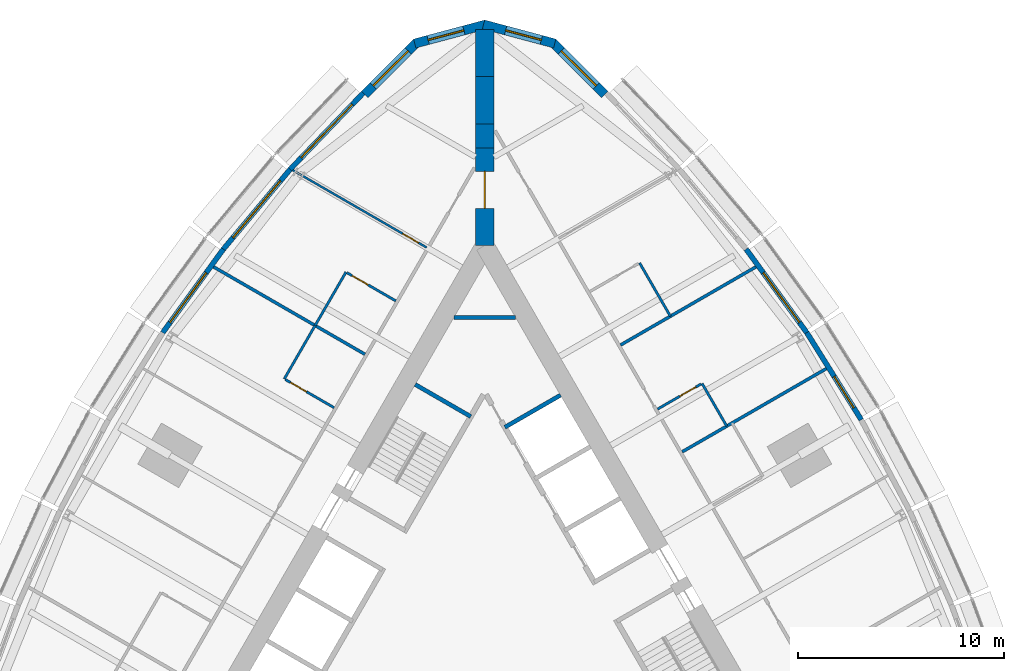
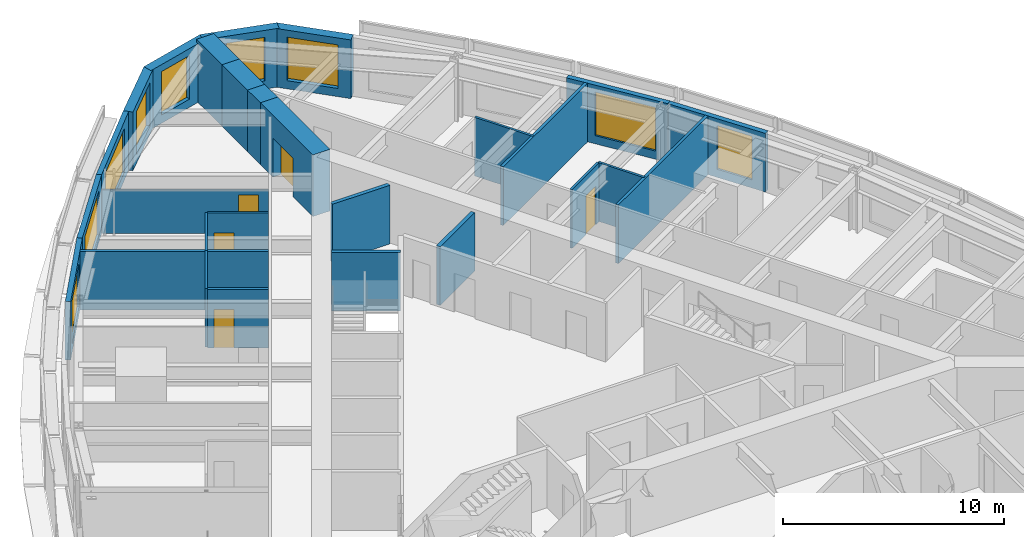
# One storey, part 12 of 14: 27 walls, 9 windows, 5 doors, 14 openings.
"""IFC4 building model written with IfcOpenShell, lengths in metres."""

from ifc_helpers import new_model, si_unit, direction, frame, frame_2d, origin, place, context, subcontext, project, spatial, polyline, rectangle, outline, extrude, material, layer, layer_set, type_object, element, fill, save


model = new_model("IFC4")

# Units and contexts
model_context = context("Model", 3, precision=1e-05, world=origin(), true_north=direction((0.0, 1.0)))
body_context = subcontext(model_context, "Body", "Model", "MODEL_VIEW")
ifc_project = project(units=[si_unit("LENGTHUNIT", "METRE"), si_unit("AREAUNIT", "SQUARE_METRE"), si_unit("VOLUMEUNIT", "CUBIC_METRE"), si_unit("PLANEANGLEUNIT", "RADIAN"), si_unit("MASSUNIT", "GRAM", prefix="KILO")], contexts=[model_context])

# Site, building, storey
site_placement = place(None, origin())
site = spatial("IfcSite", under=ifc_project, at=site_placement, CompositionType="ELEMENT")
building_placement = place(site_placement, origin())
building = spatial("IfcBuilding", under=site, at=building_placement, Name="Trikona Tower", CompositionType="ELEMENT")
storey_placement = place(building_placement, frame((0.0, 0.0, 172.5)))
storey = spatial("IfcBuildingStorey", under=building, at=storey_placement, Name="L46", CompositionType="ELEMENT", Elevation=172.5)

# Wall
ifc_material_1 = material(Name="Metal stud and cement board", Category="gypsum")
ifc_layer_1 = layer(ifc_material_1, 0.1201171875)
ifc_layer_set_1 = layer_set([ifc_layer_1], Name="Bathroom wall 120")
wall_type_1 = type_object("IfcWallType", Name="Bathroom wall 120", PredefinedType="PLUMBINGWALL", material=ifc_layer_set_1)
wall_1_placement = place(storey_placement, frame((11.77294921875, 10.26123046875, 0.0), z_axis=(0.0, 0.0, 1.0), x_axis=(-0.500001309137, 0.866024647952, 0.0)))
element("IfcWall", 1, at=wall_1_placement, inside=storey, type_object=wall_type_1, Name="Bathroom wall 4608", PredefinedType="PLUMBINGWALL", context=body_context, shape_type="SweptSolid", body=[
    extrude(rectangle(XDim=2.39990234375, YDim=0.1201171875, at=frame_2d((1.199951171875, 0.0))), origin(), (0.0, 0.0, 1.0), 3.235107421875),
])

# Wall, opening, door
wall_2_placement = place(storey_placement, frame((8.407958984375, 11.089599609375, 0.0), z_axis=(0.0, 0.0, 1.0), x_axis=(0.865980627057, 0.500077547548, 0.0)))
wall_2 = element("IfcWall", 2, at=wall_2_placement, inside=storey, type_object=wall_type_1, Name="Bathroom wall 4608", PredefinedType="PLUMBINGWALL", context=body_context, shape_type="SweptSolid", body=[
    extrude(rectangle(XDim=2.43994140625, YDim=0.1201171875, at=frame_2d((1.219970703125, 0.0))), origin(), (0.0, 0.0, 1.0), 3.235107421875),
])
opening_1_placement = place(wall_2_placement, frame((1.25, 0.0, 0.0)))
opening_1 = element("IfcOpeningElement", 3, at=opening_1_placement, cuts=wall_2, Name="Opening D2", PredefinedType="OPENING", context=body_context, shape_type="SweptSolid", body=[
    extrude(rectangle(XDim=0.89990234375, YDim=2.1298828125, at=frame_2d((0.449951171875, 1.06494140625))), frame((0.0, 0.070068359375, 0.0), z_axis=(0.0, -1.0, 0.0), x_axis=(1.0, 0.0, 0.0)), (0.0, 0.0, 1.0), 0.14013671875),
])
ifc_material_2 = material(Name="Steel door frame with solid-core timber leaf", Category="steel")
door_type_1 = type_object("IfcDoorType", Name="Bathroom door 900x2130", OperationType="SLIDING_TO_LEFT", PredefinedType="DOOR", material=ifc_material_2)
door_1_placement = place(opening_1_placement, origin())
door_1 = element("IfcDoor", 4, at=door_1_placement, inside=storey, type_object=door_type_1, Name="Bathroom door 4608", OperationType="SLIDING_TO_LEFT", OverallHeight=2.1298828125, OverallWidth=0.89990234375, PredefinedType="DOOR", context=body_context, shape_type="SweptSolid", body=[
    extrude(rectangle(XDim=0.89990234375, YDim=2.1298828125, at=frame_2d((0.449951171875, 1.06494140625))), frame((0.0, 0.02490234375, 0.0), z_axis=(0.0, -1.0, 0.0), x_axis=(1.0, 0.0, 0.0)), (0.0, 0.0, 1.0), 0.050048828125),
])
fill(opening_1, door_1)

# Walls
for number, where, z_axis, x_axis, name in (
    (5, (9.03271484375, 15.607421875, 0.0), (0.0, 0.0, 1.0), (-0.50002537861, 0.866010750942, 0.0), "Bathroom wall 4609.1"),
    (6, (-6.75341796875, 17.75537109375, 0.0), (0.0, 0.0, 1.0), (-0.50002537861, -0.866010750942, 0.0), "Bathroom wall 4610.1"),
):
    element("IfcWall", number, at=place(storey_placement, frame(where, z_axis=z_axis, x_axis=x_axis)), inside=storey, type_object=wall_type_1, Name=name, PredefinedType="PLUMBINGWALL", context=body_context, shape_type="SweptSolid", body=[
        extrude(rectangle(XDim=2.999755859375, YDim=0.1201171875, at=frame_2d((1.5, 0.0))), origin(), (0.0, 0.0, 1.0), 3.235107421875),
    ])

# Wall, opening, door
wall_3_placement = place(storey_placement, frame((-4.32861328125, 16.35546875, 0.0), z_axis=(0.0, 0.0, 1.0), x_axis=(-0.866035715982, 0.499982138324, 0.0)))
wall_3 = element("IfcWall", 7, at=wall_3_placement, inside=storey, type_object=wall_type_1, Name="Bathroom wall 4610.1", PredefinedType="PLUMBINGWALL", context=body_context, shape_type="SweptSolid", body=[
    extrude(rectangle(XDim=2.73974609375, YDim=0.1201171875, at=frame_2d((1.369873046875, 0.0))), origin(), (0.0, 0.0, 1.0), 3.235107421875),
])
opening_2_placement = place(wall_3_placement, frame((1.550048828125, 0.0, 0.0)))
opening_2 = element("IfcOpeningElement", 8, at=opening_2_placement, cuts=wall_3, Name="Opening D2", PredefinedType="OPENING", context=body_context, shape_type="SweptSolid", body=[
    extrude(rectangle(XDim=0.89990234375, YDim=2.1298828125, at=frame_2d((0.449951171875, 1.06494140625))), frame((0.0, 0.070068359375, 0.0), z_axis=(0.0, -1.0, 0.0), x_axis=(1.0, 0.0, 0.0)), (0.0, 0.0, 1.0), 0.14013671875),
])
door_2_placement = place(opening_2_placement, origin())
door_2 = element("IfcDoor", 9, at=door_2_placement, inside=storey, type_object=door_type_1, Name="Bathroom door 4610.1", OperationType="SLIDING_TO_LEFT", OverallHeight=2.1298828125, OverallWidth=0.89990234375, PredefinedType="DOOR", context=body_context, shape_type="SweptSolid", body=[
    extrude(rectangle(XDim=0.89990234375, YDim=2.1298828125, at=frame_2d((0.449951171875, 1.06494140625))), frame((0.0, 0.02490234375, 0.0), z_axis=(0.0, -1.0, 0.0), x_axis=(1.0, 0.0, 0.0)), (0.0, 0.0, 1.0), 0.050048828125),
])
fill(opening_2, door_2)

# Wall
wall_4_placement = place(storey_placement, frame((-8.25341796875, 15.157470703125, 0.0), z_axis=(0.0, 0.0, 1.0), x_axis=(-0.499990139034, -0.866031096941, 0.0)))
element("IfcWall", 10, at=wall_4_placement, inside=storey, type_object=wall_type_1, Name="Bathroom wall 4611.1", PredefinedType="PLUMBINGWALL", context=body_context, shape_type="SweptSolid", body=[
    extrude(rectangle(XDim=3.0, YDim=0.1201171875, at=frame_2d((1.5, 0.0))), origin(), (0.0, 0.0, 1.0), 3.235107421875),
])

# Wall, opening, door
wall_5_placement = place(storey_placement, frame((-7.32861328125, 11.1591796875, 0.0), z_axis=(0.0, 0.0, 1.0), x_axis=(-0.865997131366, 0.500048966069, 0.0)))
wall_5 = element("IfcWall", 11, at=wall_5_placement, inside=storey, type_object=wall_type_1, Name="Bathroom wall 4611.1", PredefinedType="PLUMBINGWALL", context=body_context, shape_type="SweptSolid", body=[
    extrude(rectangle(XDim=2.739990234375, YDim=0.1201171875, at=frame_2d((1.3701171875, 0.0))), origin(), (0.0, 0.0, 1.0), 3.235107421875),
])
opening_3_placement = place(wall_5_placement, frame((1.550048828125, 0.0, 0.0)))
opening_3 = element("IfcOpeningElement", 12, at=opening_3_placement, cuts=wall_5, Name="Opening D2", PredefinedType="OPENING", context=body_context, shape_type="SweptSolid", body=[
    extrude(rectangle(XDim=0.89990234375, YDim=2.1298828125, at=frame_2d((0.449951171875, 1.06494140625))), frame((0.0, 0.070068359375, 0.0), z_axis=(0.0, -1.0, 0.0), x_axis=(1.0, 0.0, 0.0)), (0.0, 0.0, 1.0), 0.14013671875),
])
door_3_placement = place(opening_3_placement, origin())
door_3 = element("IfcDoor", 13, at=door_3_placement, inside=storey, type_object=door_type_1, Name="Bathroom door 4611.1", OperationType="SLIDING_TO_LEFT", OverallHeight=2.1298828125, OverallWidth=0.89990234375, PredefinedType="DOOR", context=body_context, shape_type="SweptSolid", body=[
    extrude(rectangle(XDim=0.89990234375, YDim=2.1298828125, at=frame_2d((0.449951171875, 1.06494140625))), frame((0.0, 0.02490234375, 0.0), z_axis=(0.0, -1.0, 0.0), x_axis=(1.0, 0.0, 0.0)), (0.0, 0.0, 1.0), 0.050048828125),
])
fill(opening_3, door_3)

# Wall, opening, window
ifc_material_3 = material(Name="Brick-faced precast concrete", Category="masonry")
ifc_layer_2 = layer(ifc_material_3, 0.449951171875)
ifc_layer_set_2 = layer_set([ifc_layer_2], Name="Brick-faced corner wall 450")
wall_type_2 = type_object("IfcWallType", Name="Brick-faced corner wall 450", PredefinedType="SOLIDWALL", material=ifc_layer_set_2)
wall_6_placement = place(storey_placement, frame((5.8408203125, 26.39892578125, 0.0), z_axis=(0.0, 0.0, 1.0), x_axis=(-0.707106781187, 0.707106781187, 0.0)))
wall_6 = element("IfcWall", 14, at=wall_6_placement, inside=storey, type_object=wall_type_2, Name="External wall L46-20", PredefinedType="SOLIDWALL", context=body_context, shape_type="SweptSolid", body=[
    extrude(rectangle(XDim=3.586181640625, YDim=0.449951171875, at=frame_2d((1.79296875, 0.0))), origin(), (0.0, 0.0, 1.0), 3.235107421875),
])
opening_4_placement = place(wall_6_placement, frame((0.59326171875, 0.0, 0.449951171875)))
opening_4 = element("IfcOpeningElement", 15, at=opening_4_placement, cuts=wall_6, Name="Opening W2424", PredefinedType="OPENING", context=body_context, shape_type="SweptSolid", body=[
    extrude(rectangle(XDim=2.39990234375, YDim=2.39990234375, at=frame_2d((1.199951171875, 1.199951171875))), frame((0.0, 0.23486328125, 0.0), z_axis=(0.0, -1.0, 0.0), x_axis=(1.0, 0.0, 0.0)), (0.0, 0.0, 1.0), 0.469970703125),
])
ifc_material_4 = material(Name="Aluminium-framed double glazing", Category="aluminium")
window_type_1 = type_object("IfcWindowType", Name="Window 2400x2400", PartitioningType="SINGLE_PANEL", PredefinedType="WINDOW", material=ifc_material_4)
window_1_placement = place(opening_4_placement, origin())
window_1 = element("IfcWindow", 16, at=window_1_placement, inside=storey, type_object=window_type_1, Name="Window 4609", OverallHeight=2.39990234375, OverallWidth=2.39990234375, PartitioningType="SINGLE_PANEL", PredefinedType="WINDOW", context=body_context, shape_type="SweptSolid", body=[
    extrude(rectangle(XDim=2.39990234375, YDim=2.39990234375, at=frame_2d((1.199951171875, 1.199951171875))), frame((0.0, 0.030029296875, 0.0), z_axis=(0.0, -1.0, 0.0), x_axis=(1.0, 0.0, 0.0)), (0.0, 0.0, 1.0), 0.06005859375),
])
fill(opening_4, window_1)

wall_7_placement = place(storey_placement, frame((3.406005859375, 28.876708984375, 0.0), z_axis=(0.0, 0.0, 1.0), x_axis=(-0.965924653531, 0.258823421857, 0.0)))
wall_7 = element("IfcWall", 17, at=wall_7_placement, inside=storey, type_object=wall_type_2, Name="External wall L46-21", PredefinedType="SOLIDWALL", context=body_context, shape_type="SweptSolid", body=[
    extrude(outline(polyline([(3.58642578125, 0.22509765625), (3.526611328125, 0.22509765625), (3.035400390625, 0.09326171875), (3.0, 0.22509765625), (0.0, 0.22509765625), (0.0, -0.22509765625), (3.58642578125, -0.22509765625), (3.58642578125, 0.22509765625)])), origin(), (0.0, 0.0, 1.0), 3.235107421875),
])
opening_5_placement = place(wall_7_placement, frame((0.6748046875, 0.0, 0.449951171875)))
opening_5 = element("IfcOpeningElement", 18, at=opening_5_placement, cuts=wall_7, Name="Opening W1824", PredefinedType="OPENING", context=body_context, shape_type="SweptSolid", body=[
    extrude(rectangle(XDim=1.800048828125, YDim=2.39990234375, at=frame_2d((0.89990234375, 1.199951171875))), frame((0.0, 0.23486328125, 0.0), z_axis=(0.0, -1.0, 0.0), x_axis=(1.0, 0.0, 0.0)), (0.0, 0.0, 1.0), 0.469970703125),
])
ifc_material_5 = material(Name="Aluminium-framed double glazing", Category="aluminium")
window_type_2 = type_object("IfcWindowType", Name="Window 1800x2400", PartitioningType="SINGLE_PANEL", PredefinedType="WINDOW", material=ifc_material_5)
window_2_placement = place(opening_5_placement, origin())
window_2 = element("IfcWindow", 19, at=window_2_placement, inside=storey, type_object=window_type_2, Name="Window 4609", OverallHeight=2.39990234375, OverallWidth=1.800048828125, PartitioningType="SINGLE_PANEL", PredefinedType="WINDOW", context=body_context, shape_type="SweptSolid", body=[
    extrude(rectangle(XDim=1.800048828125, YDim=2.39990234375, at=frame_2d((0.89990234375, 1.199951171875))), frame((0.0, 0.030029296875, 0.0), z_axis=(0.0, -1.0, 0.0), x_axis=(1.0, 0.0, 0.0)), (0.0, 0.0, 1.0), 0.06005859375),
])
fill(opening_5, window_2)

wall_8_placement = place(storey_placement, frame((0.05810546875, 29.804931640625, 0.0), z_axis=(0.0, 0.0, 1.0), x_axis=(-0.965924653531, -0.258823421857, 0.0)))
wall_8 = element("IfcWall", 20, at=wall_8_placement, inside=storey, type_object=wall_type_2, Name="External wall L46-22", PredefinedType="SOLIDWALL", context=body_context, shape_type="SweptSolid", body=[
    extrude(outline(polyline([(3.58642578125, 0.22509765625), (0.58642578125, 0.22509765625), (0.551025390625, 0.09326171875), (0.0595703125, 0.22509765625), (0.0, 0.22509765625), (0.0, -0.22509765625), (3.58642578125, -0.22509765625), (3.58642578125, 0.22509765625)])), origin(), (0.0, 0.0, 1.0), 3.235107421875),
])
opening_6_placement = place(wall_8_placement, frame((1.111328125, 0.0, 0.449951171875)))
opening_6 = element("IfcOpeningElement", 21, at=opening_6_placement, cuts=wall_8, Name="Opening W1824", PredefinedType="OPENING", context=body_context, shape_type="SweptSolid", body=[
    extrude(rectangle(XDim=1.800048828125, YDim=2.39990234375, at=frame_2d((0.89990234375, 1.199951171875))), frame((0.0, 0.23486328125, 0.0), z_axis=(0.0, -1.0, 0.0), x_axis=(1.0, 0.0, 0.0)), (0.0, 0.0, 1.0), 0.469970703125),
])
window_3_placement = place(opening_6_placement, origin())
window_3 = element("IfcWindow", 22, at=window_3_placement, inside=storey, type_object=window_type_2, Name="Window 4610", OverallHeight=2.39990234375, OverallWidth=1.800048828125, PartitioningType="SINGLE_PANEL", PredefinedType="WINDOW", context=body_context, shape_type="SweptSolid", body=[
    extrude(rectangle(XDim=1.800048828125, YDim=2.39990234375, at=frame_2d((0.89990234375, 1.199951171875))), frame((0.0, 0.030029296875, 0.0), z_axis=(0.0, -1.0, 0.0), x_axis=(1.0, 0.0, 0.0)), (0.0, 0.0, 1.0), 0.06005859375),
])
fill(opening_6, window_3)

wall_9_placement = place(storey_placement, frame((-3.304931640625, 28.934814453125, 0.0), z_axis=(0.0, 0.0, 1.0), x_axis=(-0.707106781187, -0.707106781187, 0.0)))
wall_9 = element("IfcWall", 23, at=wall_9_placement, inside=storey, type_object=wall_type_2, Name="External wall L46-23", PredefinedType="SOLIDWALL", context=body_context, shape_type="SweptSolid", body=[
    extrude(rectangle(XDim=3.586181640625, YDim=0.449951171875, at=frame_2d((1.79296875, 0.0))), origin(), (0.0, 0.0, 1.0), 3.235107421875),
])
opening_7_placement = place(wall_9_placement, frame((0.59326171875, 0.0, 0.449951171875)))
opening_7 = element("IfcOpeningElement", 24, at=opening_7_placement, cuts=wall_9, Name="Opening W2424", PredefinedType="OPENING", context=body_context, shape_type="SweptSolid", body=[
    extrude(rectangle(XDim=2.39990234375, YDim=2.39990234375, at=frame_2d((1.199951171875, 1.199951171875))), frame((0.0, 0.23486328125, 0.0), z_axis=(0.0, -1.0, 0.0), x_axis=(1.0, 0.0, 0.0)), (0.0, 0.0, 1.0), 0.469970703125),
])
window_4_placement = place(opening_7_placement, origin())
window_4 = element("IfcWindow", 25, at=window_4_placement, inside=storey, type_object=window_type_1, Name="Window 4610", OverallHeight=2.39990234375, OverallWidth=2.39990234375, PartitioningType="SINGLE_PANEL", PredefinedType="WINDOW", context=body_context, shape_type="SweptSolid", body=[
    extrude(rectangle(XDim=2.39990234375, YDim=2.39990234375, at=frame_2d((1.199951171875, 1.199951171875))), frame((0.0, 0.030029296875, 0.0), z_axis=(0.0, -1.0, 0.0), x_axis=(1.0, 0.0, 0.0)), (0.0, 0.0, 1.0), 0.06005859375),
])
fill(opening_7, window_4)

# Wall, opening, door
ifc_material_6 = material(Name="Concrete f'c 10000 psi", Category="concrete")
ifc_layer_3 = layer(ifc_material_6, 0.89990234375)
ifc_layer_set_3 = layer_set([ifc_layer_3], Name="Buttress wall 900")
wall_type_3 = type_object("IfcWallType", Name="Buttress wall 900", PredefinedType="SHEAR", material=ifc_layer_set_3)
wall_10_placement = place(storey_placement, frame((0.0, 19.052490234375, 0.0), z_axis=(0.0, 0.0, 1.0), x_axis=(0.0, 1.0, 0.0)))
wall_10 = element("IfcWall", 26, at=wall_10_placement, inside=storey, type_object=wall_type_3, Name="Buttress wall 2", PredefinedType="SHEAR", context=body_context, shape_type="SweptSolid", body=[
    extrude(rectangle(XDim=4.74609375, YDim=0.89990234375, at=frame_2d((2.373046875, 0.0))), origin(), (0.0, 0.0, 1.0), 3.39990234375),
])
opening_8_placement = place(wall_10_placement, frame((1.800048828125, 0.0, 0.0)))
opening_8 = element("IfcOpeningElement", 27, at=opening_8_placement, cuts=wall_10, Name="Opening D10", PredefinedType="OPENING", context=body_context, shape_type="SweptSolid", body=[
    extrude(rectangle(XDim=1.800048828125, YDim=2.1298828125, at=frame_2d((0.89990234375, 1.06494140625))), frame((0.0, 0.4599609375, 0.0), z_axis=(0.0, -1.0, 0.0), x_axis=(1.0, 0.0, 0.0)), (0.0, 0.0, 1.0), 0.919921875),
])
ifc_material_7 = material(Name="Hollow metal door and frame", Category="steel")
door_type_2 = type_object("IfcDoorType", Name="Cross-corridor door pair 1800x2130", OperationType="DOUBLE_DOOR_DOUBLE_SWING", PredefinedType="DOOR", material=ifc_material_7)
door_4_placement = place(opening_8_placement, origin())
door_4 = element("IfcDoor", 28, at=door_4_placement, inside=storey, type_object=door_type_2, Name="Cross-corridor door 2", OperationType="DOUBLE_DOOR_DOUBLE_SWING", OverallHeight=2.1298828125, OverallWidth=1.800048828125, PredefinedType="DOOR", context=body_context, shape_type="SweptSolid", body=[
    extrude(rectangle(XDim=1.800048828125, YDim=2.1298828125, at=frame_2d((0.89990234375, 1.06494140625))), frame((0.0, 0.02490234375, 0.0), z_axis=(0.0, -1.0, 0.0), x_axis=(1.0, 0.0, 0.0)), (0.0, 0.0, 1.0), 0.050048828125),
])
fill(opening_8, door_4)

# Walls
wall_11_placement = place(storey_placement, frame((0.0, 23.798583984375, 0.0), z_axis=(0.0, 0.0, 1.0), x_axis=(0.0, 1.0, 0.0)))
element("IfcWall", 29, at=wall_11_placement, inside=storey, type_object=wall_type_3, Name="Buttress wall 2 part 2", PredefinedType="SHEAR", context=body_context, shape_type="SweptSolid", body=[
    extrude(rectangle(XDim=1.15478515625, YDim=0.89990234375, at=frame_2d((0.577392578125, 0.0))), origin(), (0.0, 0.0, 1.0), 3.39990234375),
])
wall_12_placement = place(storey_placement, frame((0.0, 24.953369140625, 0.0), z_axis=(0.0, 0.0, 1.0), x_axis=(0.0, 1.0, 0.0)))
element("IfcWall", 30, at=wall_12_placement, inside=storey, type_object=wall_type_3, Name="Buttress wall 2 part 3", PredefinedType="SHEAR", context=body_context, shape_type="SweptSolid", body=[
    extrude(rectangle(XDim=2.309326171875, YDim=0.89990234375, at=frame_2d((1.15478515625, 0.0))), origin(), (0.0, 0.0, 1.0), 3.39990234375),
])
wall_13_placement = place(storey_placement, frame((0.0, 27.2626953125, 0.0), z_axis=(0.0, 0.0, 1.0), x_axis=(0.0, 1.0, 0.0)))
element("IfcWall", 31, at=wall_13_placement, inside=storey, type_object=wall_type_3, Name="Buttress wall 2 part 4", PredefinedType="SHEAR", context=body_context, shape_type="SweptSolid", body=[
    extrude(rectangle(XDim=2.3095703125, YDim=0.89990234375, at=frame_2d((1.15478515625, 0.0))), origin(), (0.0, 0.0, 1.0), 3.39990234375),
])

# Wall, opening, window
ifc_material_8 = material(Name="Insulated precast concrete spandrel panel", Category="concrete")
ifc_layer_4 = layer(ifc_material_8, 0.25)
ifc_layer_set_4 = layer_set([ifc_layer_4], Name="Inner skin wall 250")
wall_type_4 = type_object("IfcWallType", Name="Inner skin wall 250", PredefinedType="STANDARD", material=ifc_layer_set_4)
wall_14_placement = place(storey_placement, frame((18.31884765625, 10.5712890625, 0.0), z_axis=(0.0, 0.0, 1.0), x_axis=(-0.529990167382, 0.84800378683, 0.0)))
wall_14 = element("IfcWall", 32, at=wall_14_placement, inside=storey, type_object=wall_type_4, Name="External wall L46-16", PredefinedType="STANDARD", context=body_context, shape_type="SweptSolid", body=[
    extrude(rectangle(XDim=5.003173828125, YDim=0.25, at=frame_2d((2.50146484375, 0.0))), origin(), (0.0, 0.0, 1.0), 3.235107421875),
])
opening_9_placement = place(wall_14_placement, frame((0.683837890625, 0.0, 0.449951171875)))
opening_9 = element("IfcOpeningElement", 33, at=opening_9_placement, cuts=wall_14, Name="Opening W1824", PredefinedType="OPENING", context=body_context, shape_type="SweptSolid", body=[
    extrude(rectangle(XDim=1.800048828125, YDim=2.39990234375, at=frame_2d((0.89990234375, 1.199951171875))), frame((0.0, 0.135009765625, 0.0), z_axis=(0.0, -1.0, 0.0), x_axis=(1.0, 0.0, 0.0)), (0.0, 0.0, 1.0), 0.27001953125),
])
window_5_placement = place(opening_9_placement, origin())
window_5 = element("IfcWindow", 34, at=window_5_placement, inside=storey, type_object=window_type_2, Name="Window 4607.1", OverallHeight=2.39990234375, OverallWidth=1.800048828125, PartitioningType="SINGLE_PANEL", PredefinedType="WINDOW", context=body_context, shape_type="SweptSolid", body=[
    extrude(rectangle(XDim=1.800048828125, YDim=2.39990234375, at=frame_2d((0.89990234375, 1.199951171875))), frame((0.0, 0.030029296875, 0.0), z_axis=(0.0, -1.0, 0.0), x_axis=(1.0, 0.0, 0.0)), (0.0, 0.0, 1.0), 0.06005859375),
])
fill(opening_9, window_5)

wall_15_placement = place(storey_placement, frame((15.672119140625, 14.806640625, 0.0), z_axis=(0.0, 0.0, 1.0), x_axis=(-0.587669188412, 0.809101307001, 0.0)))
wall_15 = element("IfcWall", 35, at=wall_15_placement, inside=storey, type_object=wall_type_4, Name="External wall L46-17", PredefinedType="STANDARD", context=body_context, shape_type="SweptSolid", body=[
    extrude(rectangle(XDim=5.027587890625, YDim=0.25, at=frame_2d((2.513671875, 0.0))), origin(), (0.0, 0.0, 1.0), 3.235107421875),
])
opening_10_placement = place(wall_15_placement, frame((0.609619140625, 0.0, 0.449951171875)))
opening_10 = element("IfcOpeningElement", 36, at=opening_10_placement, cuts=wall_15, Name="Opening W3024", PredefinedType="OPENING", context=body_context, shape_type="SweptSolid", body=[
    extrude(rectangle(XDim=3.0, YDim=2.39990234375, at=frame_2d((1.5, 1.199951171875))), frame((0.0, 0.135009765625, 0.0), z_axis=(0.0, -1.0, 0.0), x_axis=(1.0, 0.0, 0.0)), (0.0, 0.0, 1.0), 0.27001953125),
])
ifc_material_9 = material(Name="Aluminium-framed double glazing", Category="aluminium")
window_type_3 = type_object("IfcWindowType", Name="Window 3000x2400", PartitioningType="SINGLE_PANEL", PredefinedType="WINDOW", material=ifc_material_9)
window_6_placement = place(opening_10_placement, origin())
window_6 = element("IfcWindow", 37, at=window_6_placement, inside=storey, type_object=window_type_3, Name="Window 4608", OverallHeight=2.39990234375, OverallWidth=3.0, PartitioningType="SINGLE_PANEL", PredefinedType="WINDOW", context=body_context, shape_type="SweptSolid", body=[
    extrude(rectangle(XDim=3.0, YDim=2.39990234375, at=frame_2d((1.5, 1.199951171875))), frame((0.0, 0.030029296875, 0.0), z_axis=(0.0, -1.0, 0.0), x_axis=(1.0, 0.0, 0.0)), (0.0, 0.0, 1.0), 0.06005859375),
])
fill(opening_10, window_6)

wall_16_placement = place(storey_placement, frame((-5.90966796875, 26.4716796875, 0.0), z_axis=(0.0, 0.0, 1.0), x_axis=(-0.691719937936, -0.722165858693, 0.0)))
wall_16 = element("IfcWall", 38, at=wall_16_placement, inside=storey, type_object=wall_type_4, Name="External wall L46-24", PredefinedType="STANDARD", context=body_context, shape_type="SweptSolid", body=[
    extrude(rectangle(XDim=5.148193359375, YDim=0.25, at=frame_2d((2.57421875, 0.0))), origin(), (0.0, 0.0, 1.0), 3.235107421875),
])
opening_11_placement = place(wall_16_placement, frame((0.77392578125, 0.0, 0.449951171875)))
opening_11 = element("IfcOpeningElement", 39, at=opening_11_placement, cuts=wall_16, Name="Opening W3624", PredefinedType="OPENING", context=body_context, shape_type="SweptSolid", body=[
    extrude(rectangle(XDim=3.60009765625, YDim=2.39990234375, at=frame_2d((1.800048828125, 1.199951171875))), frame((0.0, 0.135009765625, 0.0), z_axis=(0.0, -1.0, 0.0), x_axis=(1.0, 0.0, 0.0)), (0.0, 0.0, 1.0), 0.27001953125),
])
ifc_material_10 = material(Name="Aluminium-framed double glazing", Category="aluminium")
window_type_4 = type_object("IfcWindowType", Name="Window 3600x2400", PartitioningType="SINGLE_PANEL", PredefinedType="WINDOW", material=ifc_material_10)
window_7_placement = place(opening_11_placement, origin())
window_7 = element("IfcWindow", 40, at=window_7_placement, inside=storey, type_object=window_type_4, Name="Window 4610", OverallHeight=2.39990234375, OverallWidth=3.60009765625, PartitioningType="SINGLE_PANEL", PredefinedType="WINDOW", context=body_context, shape_type="SweptSolid", body=[
    extrude(rectangle(XDim=3.60009765625, YDim=2.39990234375, at=frame_2d((1.800048828125, 1.199951171875))), frame((0.0, 0.030029296875, 0.0), z_axis=(0.0, -1.0, 0.0), x_axis=(1.0, 0.0, 0.0)), (0.0, 0.0, 1.0), 0.06005859375),
])
fill(opening_11, window_7)

wall_17_placement = place(storey_placement, frame((-9.465087890625, 22.76025390625, 0.0), z_axis=(0.0, 0.0, 1.0), x_axis=(-0.641810386606, -0.766863369607, 0.0)))
wall_17 = element("IfcWall", 41, at=wall_17_placement, inside=storey, type_object=wall_type_4, Name="External wall L46-25", PredefinedType="STANDARD", context=body_context, shape_type="SweptSolid", body=[
    extrude(rectangle(XDim=5.075927734375, YDim=0.25, at=frame_2d((2.5380859375, 0.0))), origin(), (0.0, 0.0, 1.0), 3.235107421875),
])
opening_12_placement = place(wall_17_placement, frame((0.738037109375, 0.0, 0.449951171875)))
opening_12 = element("IfcOpeningElement", 42, at=opening_12_placement, cuts=wall_17, Name="Opening W3624", PredefinedType="OPENING", context=body_context, shape_type="SweptSolid", body=[
    extrude(rectangle(XDim=3.60009765625, YDim=2.39990234375, at=frame_2d((1.800048828125, 1.199951171875))), frame((0.0, 0.135009765625, 0.0), z_axis=(0.0, -1.0, 0.0), x_axis=(1.0, 0.0, 0.0)), (0.0, 0.0, 1.0), 0.27001953125),
])
window_8_placement = place(opening_12_placement, origin())
window_8 = element("IfcWindow", 43, at=window_8_placement, inside=storey, type_object=window_type_4, Name="Window 4610.1", OverallHeight=2.39990234375, OverallWidth=3.60009765625, PartitioningType="SINGLE_PANEL", PredefinedType="WINDOW", context=body_context, shape_type="SweptSolid", body=[
    extrude(rectangle(XDim=3.60009765625, YDim=2.39990234375, at=frame_2d((1.800048828125, 1.199951171875))), frame((0.0, 0.030029296875, 0.0), z_axis=(0.0, -1.0, 0.0), x_axis=(1.0, 0.0, 0.0)), (0.0, 0.0, 1.0), 0.06005859375),
])
fill(opening_12, window_8)

wall_18_placement = place(storey_placement, frame((-12.717529296875, 18.87451171875, 0.0), z_axis=(0.0, 0.0, 1.0), x_axis=(-0.587669188412, -0.809101307001, 0.0)))
wall_18 = element("IfcWall", 44, at=wall_18_placement, inside=storey, type_object=wall_type_4, Name="External wall L46-26", PredefinedType="STANDARD", context=body_context, shape_type="SweptSolid", body=[
    extrude(rectangle(XDim=5.027587890625, YDim=0.25, at=frame_2d((2.513671875, 0.0))), origin(), (0.0, 0.0, 1.0), 3.235107421875),
])
opening_13_placement = place(wall_18_placement, frame((1.41796875, 0.0, 0.449951171875)))
opening_13 = element("IfcOpeningElement", 45, at=opening_13_placement, cuts=wall_18, Name="Opening W3024", PredefinedType="OPENING", context=body_context, shape_type="SweptSolid", body=[
    extrude(rectangle(XDim=3.0, YDim=2.39990234375, at=frame_2d((1.5, 1.199951171875))), frame((0.0, 0.135009765625, 0.0), z_axis=(0.0, -1.0, 0.0), x_axis=(1.0, 0.0, 0.0)), (0.0, 0.0, 1.0), 0.27001953125),
])
window_9_placement = place(opening_13_placement, origin())
window_9 = element("IfcWindow", 46, at=window_9_placement, inside=storey, type_object=window_type_3, Name="Window 4611.1", OverallHeight=2.39990234375, OverallWidth=3.0, PartitioningType="SINGLE_PANEL", PredefinedType="WINDOW", context=body_context, shape_type="SweptSolid", body=[
    extrude(rectangle(XDim=3.0, YDim=2.39990234375, at=frame_2d((1.5, 1.199951171875))), frame((0.0, 0.030029296875, 0.0), z_axis=(0.0, -1.0, 0.0), x_axis=(1.0, 0.0, 0.0)), (0.0, 0.0, 1.0), 0.06005859375),
])
fill(opening_13, window_9)

# Walls
ifc_material_11 = material(Name="Metal stud and gypsum board, 1-hour acoustic", Category="gypsum")
ifc_layer_5 = layer(ifc_material_11, 0.14990234375)
ifc_layer_set_5 = layer_set([ifc_layer_5], Name="Party wall 150")
wall_type_5 = type_object("IfcWallType", Name="Party wall 150", PredefinedType="PARTITIONING", material=ifc_layer_set_5)
wall_19_placement = place(storey_placement, frame((9.60791015625, 9.01123046875, 0.0), z_axis=(0.0, 0.0, 1.0), x_axis=(0.866021827868, 0.500006193617, 0.0)))
element("IfcWall", 47, at=wall_19_placement, inside=storey, type_object=wall_type_5, Name="Partition L46 F2 u3", PredefinedType="PARTITIONING", context=body_context, shape_type="SweptSolid", body=[
    extrude(rectangle(XDim=8.09375, YDim=0.14990234375, at=frame_2d((4.046875, 0.0))), origin(), (0.0, 0.0, 1.0), 3.235107421875),
])
wall_20_placement = place(storey_placement, frame((6.60791015625, 14.20751953125, 0.0), z_axis=(0.0, 0.0, 1.0), x_axis=(0.866025154315, 0.500000432093, 0.0)))
element("IfcWall", 48, at=wall_20_placement, inside=storey, type_object=wall_type_5, Name="Partition L46 F2 u9", PredefinedType="PARTITIONING", context=body_context, shape_type="SweptSolid", body=[
    extrude(rectangle(XDim=7.6025390625, YDim=0.14990234375, at=frame_2d((3.80126953125, 0.0))), origin(), (0.0, 0.0, 1.0), 3.235107421875),
])
wall_21_placement = place(storey_placement, frame((-5.82861328125, 13.75732421875, 0.0), z_axis=(0.0, 0.0, 1.0), x_axis=(-0.866011529155, 0.500024030793, 0.0)))
element("IfcWall", 49, at=wall_21_placement, inside=storey, type_object=wall_type_5, Name="Partition L46 F3 u-9", PredefinedType="PARTITIONING", context=body_context, shape_type="SweptSolid", body=[
    extrude(rectangle(XDim=8.50244140625, YDim=0.14990234375, at=frame_2d((4.251220703125, 0.0))), origin(), (0.0, 0.0, 1.0), 3.235107421875),
])
ifc_material_12 = material(Name="Concrete f'c 8000 psi", Category="concrete")
ifc_layer_6 = layer(ifc_material_12, 0.199951171875)
ifc_layer_set_6 = layer_set([ifc_layer_6], Name="Shaft wall 200")
wall_type_6 = type_object("IfcWallType", Name="Shaft wall 200", PredefinedType="SOLIDWALL", material=ifc_layer_set_6)
wall_22_placement = place(storey_placement, frame((0.97900390625, 10.20703125, 0.0), z_axis=(0.0, 0.0, 1.0), x_axis=(0.866022959057, 0.500004234368, 0.0)))
element("IfcWall", 50, at=wall_22_placement, inside=storey, type_object=wall_type_6, Name="Shaft wall B6", PredefinedType="SOLIDWALL", context=body_context, shape_type="SweptSolid", body=[
    extrude(rectangle(XDim=3.125, YDim=0.199951171875, at=frame_2d((1.5625, 0.0))), origin(), (0.0, 0.0, 1.0), 3.235107421875),
])
wall_23_placement = place(storey_placement, frame((-1.501220703125, 15.552490234375, 0.0), z_axis=(0.0, 0.0, 1.0), x_axis=(1.0, 0.0, 0.0)))
element("IfcWall", 51, at=wall_23_placement, inside=storey, type_object=wall_type_6, Name="Riser wall L46-RS2", PredefinedType="SOLIDWALL", context=body_context, shape_type="SweptSolid", body=[
    extrude(rectangle(XDim=3.00244140625, YDim=0.199951171875, at=frame_2d((1.501220703125, 0.0))), origin(), (0.0, 0.0, 1.0), 3.235107421875),
])
ifc_material_13 = material(Name="Concrete f'c 8000 psi", Category="concrete")
ifc_layer_7 = layer(ifc_material_13, 0.199951171875)
ifc_layer_set_7 = layer_set([ifc_layer_7], Name="Shaft wall 200 load-bearing")
wall_type_7 = type_object("IfcWallType", Name="Shaft wall 200 load-bearing", PredefinedType="SOLIDWALL", material=ifc_layer_set_7)
wall_24_placement = place(storey_placement, frame((-0.678955078125, 10.7265625, 0.0), z_axis=(0.0, 0.0, 1.0), x_axis=(-0.866022959057, 0.500004234368, 0.0)))
element("IfcWall", 52, at=wall_24_placement, inside=storey, type_object=wall_type_7, Name="Shaft wall C1", PredefinedType="SOLIDWALL", context=body_context, shape_type="SweptSolid", body=[
    extrude(rectangle(XDim=3.125, YDim=0.199951171875, at=frame_2d((1.5625, 0.0))), origin(), (0.0, 0.0, 1.0), 3.235107421875),
])

# Wall, opening, door
ifc_material_14 = material(Name="Metal stud and gypsum board, acoustic", Category="gypsum")
ifc_layer_8 = layer(ifc_material_14, 0.10009765625)
ifc_layer_set_8 = layer_set([ifc_layer_8], Name="Suite partition 100")
wall_type_8 = type_object("IfcWallType", Name="Suite partition 100", PredefinedType="PARTITIONING", material=ifc_layer_set_8)
wall_25_placement = place(storey_placement, frame((-2.82861328125, 18.95361328125, 0.0), z_axis=(0.0, 0.0, 1.0), x_axis=(-0.866015739374, 0.500016738876, 0.0)))
wall_25 = element("IfcWall", 53, at=wall_25_placement, inside=storey, type_object=wall_type_8, Name="Suite partition L46 F3 u-15", PredefinedType="PARTITIONING", context=body_context, shape_type="SweptSolid", body=[
    extrude(rectangle(XDim=7.516357421875, YDim=0.10009765625, at=frame_2d((3.75830078125, 0.0))), origin(), (0.0, 0.0, 1.0), 2.38916015625),
])
opening_14_placement = place(wall_25_placement, frame((0.449951171875, 0.0, 0.0)))
opening_14 = element("IfcOpeningElement", 54, at=opening_14_placement, cuts=wall_25, Name="Opening D13", PredefinedType="OPENING", context=body_context, shape_type="SweptSolid", body=[
    extrude(rectangle(XDim=0.89990234375, YDim=2.1298828125, at=frame_2d((0.449951171875, 1.06494140625))), frame((0.0, 0.06005859375, 0.0), z_axis=(0.0, -1.0, 0.0), x_axis=(1.0, 0.0, 0.0)), (0.0, 0.0, 1.0), 0.1201171875),
])
ifc_material_15 = material(Name="Steel door frame with solid-core timber leaf", Category="steel")
door_type_3 = type_object("IfcDoorType", Name="Suite door 900x2130", OperationType="SINGLE_SWING_LEFT", PredefinedType="DOOR", material=ifc_material_15)
door_5_placement = place(opening_14_placement, origin())
door_5 = element("IfcDoor", 55, at=door_5_placement, inside=storey, type_object=door_type_3, Name="Suite door 4610", OperationType="SINGLE_SWING_LEFT", OverallHeight=2.1298828125, OverallWidth=0.89990234375, PredefinedType="DOOR", context=body_context, shape_type="SweptSolid", body=[
    extrude(rectangle(XDim=0.89990234375, YDim=2.1298828125, at=frame_2d((0.449951171875, 1.06494140625))), frame((0.0, 0.02490234375, 0.0), z_axis=(0.0, -1.0, 0.0), x_axis=(1.0, 0.0, 0.0)), (0.0, 0.0, 1.0), 0.050048828125),
])
fill(opening_14, door_5)

save(model, "model.ifc")
